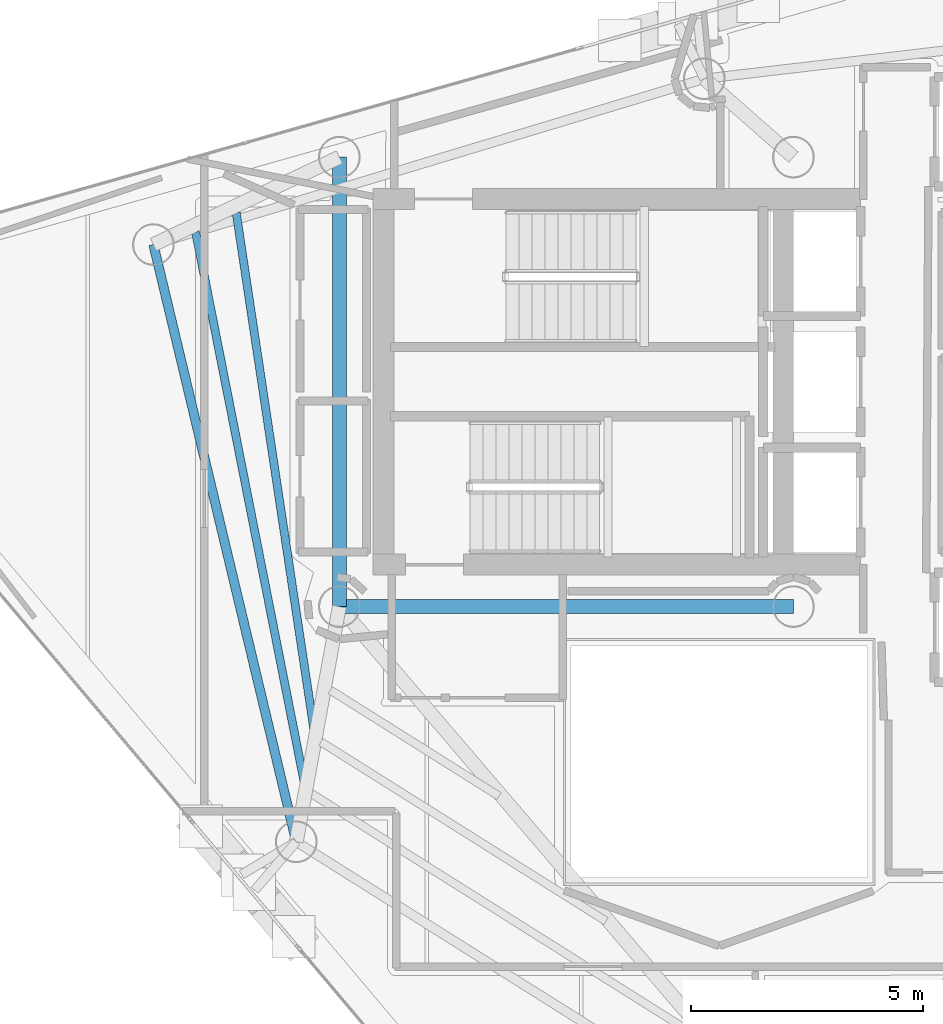
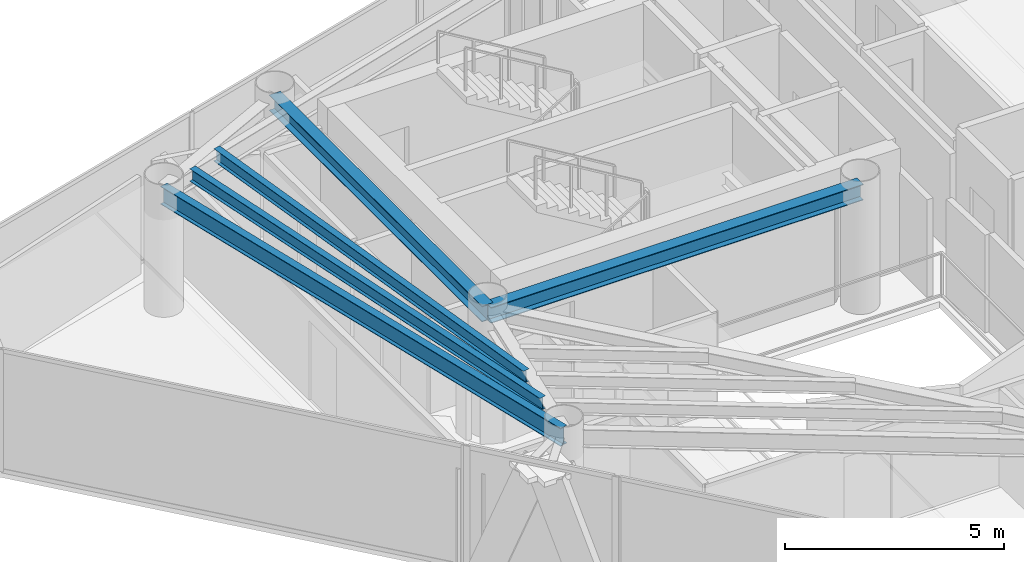
# One storey, part 8 of 20: 5 beams.
"""IFC4 building model written with IfcOpenShell, lengths in metres."""

from ifc_helpers import new_model, si_unit, direction, frame, origin, origin_2d, place, context, subcontext, project, spatial, i_section, extrude, material, material_profile, profile_set, type_object, element, save


model = new_model("IFC4")

# Units and contexts
model_context = context("Model", 3, precision=1e-05, world=origin(), true_north=direction((0.0, 1.0)))
body_context = subcontext(model_context, "Body", "Model", "MODEL_VIEW")
ifc_project = project(units=[si_unit("LENGTHUNIT", "METRE"), si_unit("AREAUNIT", "SQUARE_METRE"), si_unit("VOLUMEUNIT", "CUBIC_METRE"), si_unit("PLANEANGLEUNIT", "RADIAN"), si_unit("MASSUNIT", "GRAM", prefix="KILO")], contexts=[model_context])

# Site, building, storey
site_placement = place(None, origin())
site = spatial("IfcSite", under=ifc_project, at=site_placement, CompositionType="ELEMENT")
building_placement = place(site_placement, origin())
building = spatial("IfcBuilding", under=site, at=building_placement, Name="Qianvela Tower", CompositionType="ELEMENT")
storey_placement = place(building_placement, frame((0.0, 0.0, 317.60009765625)))
storey = spatial("IfcBuildingStorey", under=building, at=storey_placement, Name="L82", CompositionType="ELEMENT", Elevation=317.60009765625)

# Beams
ifc_material_1 = material(Name="Steel Q355B", Category="steel")
ifc_material_profile_1 = material_profile(ifc_material_1, i_section(OverallWidth=0.300048828125, OverallDepth=0.43994140625, WebThickness=0.010986328125, FlangeThickness=0.01806640625, at=origin_2d()), Name="HM440x300x11x18")
ifc_profile_set_1 = profile_set([ifc_material_profile_1], Name="Steel Q355B")
beam_type_1 = type_object("IfcBeamType", Name="BM-HM440-COLL", PredefinedType="BEAM", material=ifc_profile_set_1)
beam_1_placement = place(storey_placement, frame((28.60009765625, 23.85009765625, 3.177978515625), z_axis=(1.0, 0.0, 0.0), x_axis=(0.0, 1.0, 0.0)))
element("IfcBeam", 1, at=beam_1_placement, inside=storey, type_object=beam_type_1, Name="L82 Core Ring Collector Girder CC1", PredefinedType="BEAM", context=body_context, shape_type="SweptSolid", body=[
    extrude(i_section(OverallWidth=0.300048828125, OverallDepth=0.43994140625, WebThickness=0.010986328125, FlangeThickness=0.01806640625, at=origin_2d()), origin(), (0.0, 0.0, 1.0), 9.7998046875),
])
beam_2_placement = place(storey_placement, frame((28.60009765625, 33.550048828125, 3.177978515625), z_axis=(0.0, -1.0, 0.0), x_axis=(1.0, 0.0, 0.0)))
element("IfcBeam", 2, at=beam_2_placement, inside=storey, type_object=beam_type_1, Name="L82 Core Ring Collector Girder CC2", PredefinedType="BEAM", context=body_context, shape_type="SweptSolid", body=[
    extrude(i_section(OverallWidth=0.300048828125, OverallDepth=0.43994140625, WebThickness=0.010986328125, FlangeThickness=0.01806640625, at=origin_2d()), origin(), (0.0, 0.0, 1.0), 9.699951171875),
])
ifc_material_2 = material(Name="Steel Q355B", Category="steel")
ifc_material_profile_2 = material_profile(ifc_material_2, i_section(OverallWidth=0.175048828125, OverallDepth=0.35009765625, WebThickness=0.007080078125, FlangeThickness=0.010986328125, at=origin_2d()), Name="HN350x175x7x11")
ifc_profile_set_2 = profile_set([ifc_material_profile_2], Name="Steel Q355B")
beam_type_2 = type_object("IfcBeamType", Name="BM-HN350-JOIST", PredefinedType="JOIST", material=ifc_profile_set_2)
beam_3_placement = place(storey_placement, frame((26.37451171875, 32.348876953125, 3.222900390625), z_axis=(0.148647266964, -0.988890282096, 0.0), x_axis=(0.988890282096, 0.148647266964, 0.0)))
element("IfcBeam", 3, at=beam_3_placement, inside=storey, type_object=beam_type_2, Name="L82 Secondary Composite Floor Joist 3.2", PredefinedType="JOIST", context=body_context, shape_type="SweptSolid", body=[
    extrude(i_section(OverallWidth=0.175048828125, OverallDepth=0.35009765625, WebThickness=0.007080078125, FlangeThickness=0.010986328125, at=origin_2d()), origin(), (0.0, 0.0, 1.0), 11.32275390625),
])
beam_4_placement = place(storey_placement, frame((25.498046875, 31.934814453125, 3.222900390625), z_axis=(0.193576445355, -0.981085194977, 0.0), x_axis=(0.981085194977, 0.193576445355, 0.0)))
element("IfcBeam", 4, at=beam_4_placement, inside=storey, type_object=beam_type_2, Name="L82 Secondary Composite Floor Joist 3.3", PredefinedType="JOIST", context=body_context, shape_type="SweptSolid", body=[
    extrude(i_section(OverallWidth=0.175048828125, OverallDepth=0.35009765625, WebThickness=0.007080078125, FlangeThickness=0.010986328125, at=origin_2d()), origin(), (0.0, 0.0, 1.0), 12.13037109375),
])
ifc_material_3 = material(Name="Steel Q355B", Category="steel")
ifc_material_profile_3 = material_profile(ifc_material_3, i_section(OverallWidth=0.199951171875, OverallDepth=0.5, WebThickness=0.010009765625, FlangeThickness=0.01611328125, at=origin_2d()), Name="HN500x200x10x16")
ifc_profile_set_3 = profile_set([ifc_material_profile_3], Name="Steel Q355B")
beam_type_3 = type_object("IfcBeamType", Name="BM-HN500-GIRD", PredefinedType="BEAM", material=ifc_profile_set_3)
beam_5_placement = place(storey_placement, frame((24.5869140625, 31.6630859375, 3.14794921875), z_axis=(0.232631550142, -0.972564939672, 0.0), x_axis=(0.972564939672, 0.232631550142, 0.0)))
element("IfcBeam", 5, at=beam_5_placement, inside=storey, type_object=beam_type_3, Name="L82 Perimeter Ring Spandrel Girder 3", PredefinedType="BEAM", context=body_context, shape_type="SweptSolid", body=[
    extrude(i_section(OverallWidth=0.199951171875, OverallDepth=0.5, WebThickness=0.010009765625, FlangeThickness=0.01611328125, at=origin_2d()), origin(), (0.0, 0.0, 1.0), 13.252685546875),
])

save(model, "model.ifc")
